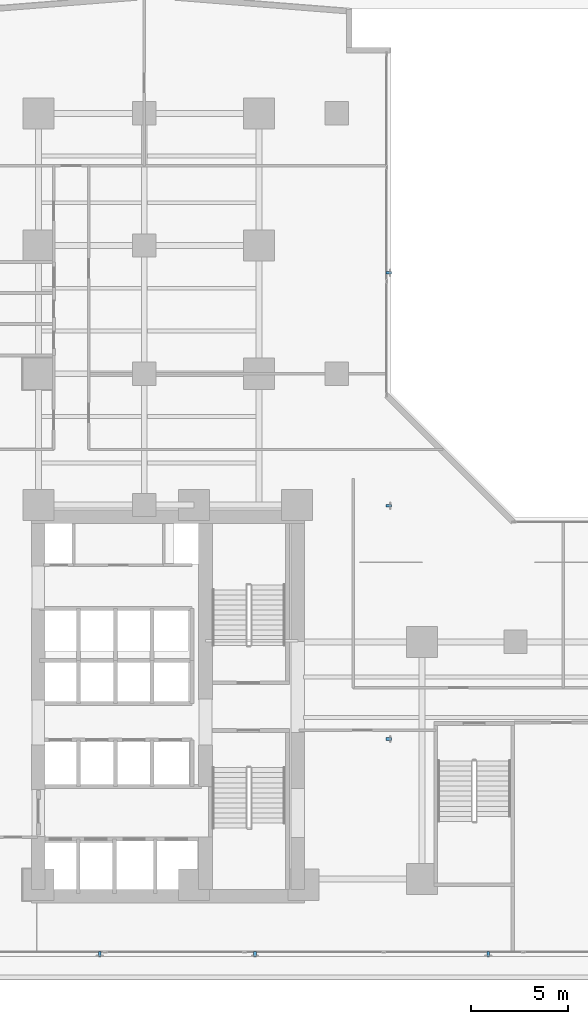
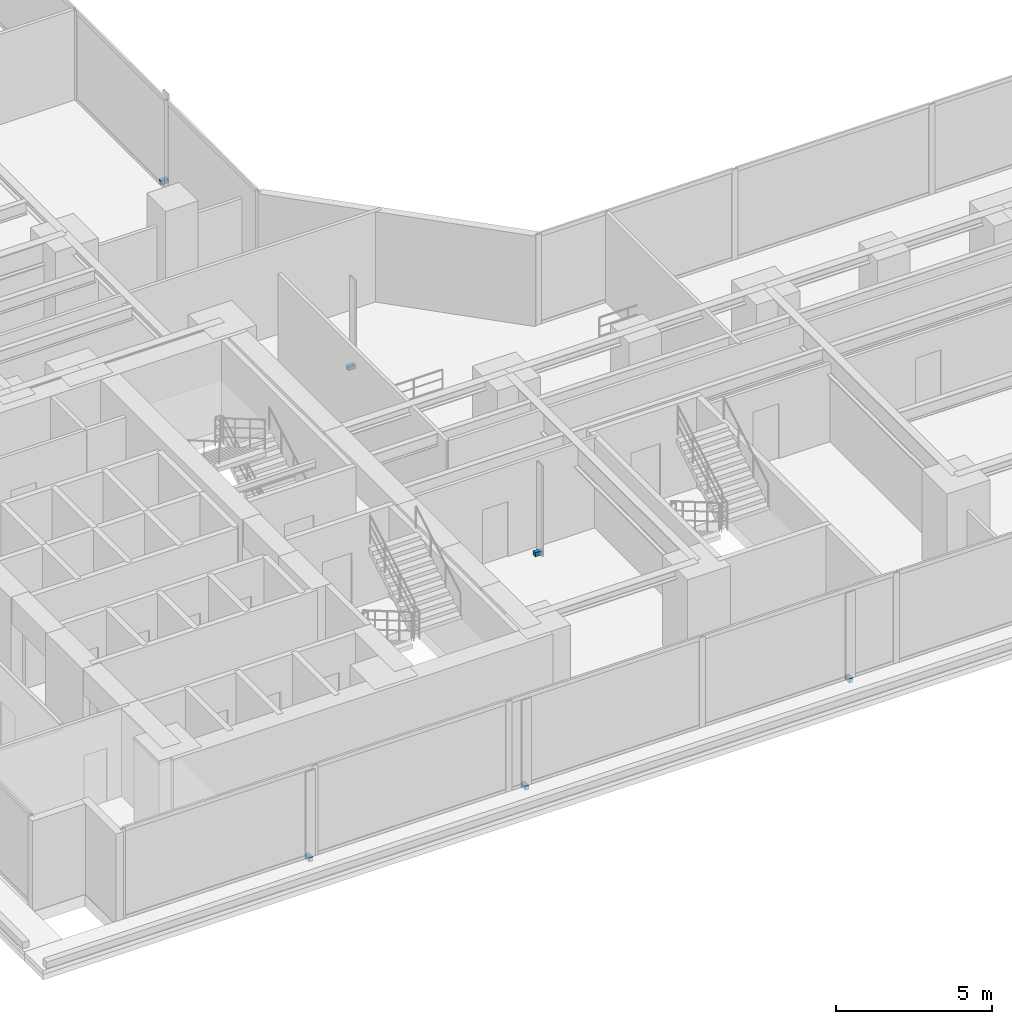
# One storey, part 25 of 29: 6 discrete accessories.
"""IFC4 building model written with IfcOpenShell, lengths in metres."""

from ifc_helpers import new_model, si_unit, direction, frame, origin, origin_with_axes, origin_2d, place, context, subcontext, project, spatial, rectangle, extrude, source, transform, mapped, material, type_object, element, save


model = new_model("IFC4")

# Units and contexts
model_context = context("Model", 3, precision=1e-05, world=origin(), true_north=direction((0.0, 1.0)))
body_context = subcontext(model_context, "Body", "Model", "MODEL_VIEW")
ifc_project = project(units=[si_unit("LENGTHUNIT", "METRE"), si_unit("AREAUNIT", "SQUARE_METRE"), si_unit("VOLUMEUNIT", "CUBIC_METRE"), si_unit("PLANEANGLEUNIT", "RADIAN"), si_unit("MASSUNIT", "GRAM", prefix="KILO")], contexts=[model_context])

# Site, building, storey
site_placement = place(None, origin())
site = spatial("IfcSite", under=ifc_project, at=site_placement, CompositionType="ELEMENT")
building_placement = place(site_placement, origin())
building = spatial("IfcBuilding", under=site, at=building_placement, Name="Kolvaren Waterfront Exchange", CompositionType="ELEMENT")
storey_placement = place(building_placement, frame((0.0, 0.0, 29.60009765625)))
storey = spatial("IfcBuildingStorey", under=building, at=storey_placement, Name="L07", CompositionType="ELEMENT", Elevation=29.60009765625)

# Discrete accessories
ifc_material = material(Name="Stainless steel 316", Category="steel")
discrete_accessory_type = type_object("IfcDiscreteAccessoryType", Name="ARC-BRK-FIN", PredefinedType="BRACKET", material=ifc_material)
shared_shape = source(origin_with_axes(), body_context, "Body", "SweptSolid", [
    extrude(rectangle(XDim=0.280029296875, YDim=0.139892578125, at=origin_2d()), origin(), (0.0, 0.0, 1.0), 0.159912109375),
])
for number, where, z_axis, x_axis, name in (
    (1, (10.60009765625, 1.320068359375, 0.0), (0.0, 0.0, 1.0), (0.0, -1.0, 0.0), "L07 bronze fin anchor bracket FIN-L07-S1"),
    (2, (18.60009765625, 1.320068359375, 0.0), (0.0, 0.0, 1.0), (0.0, -1.0, 0.0), "L07 bronze fin anchor bracket FIN-L07-S2"),
    (3, (30.60009765625, 1.320068359375, 0.0), (0.0, 0.0, 1.0), (0.0, -1.0, 0.0), "L07 bronze fin anchor bracket FIN-L07-S3"),
    (4, (25.47998046875, 12.39990234375, 0.0), (0.0, 0.0, 1.0), (1.0, 0.0, 0.0), "L07 bronze fin anchor bracket FIN-L07-E1"),
    (5, (25.47998046875, 24.39990234375, 0.0), (0.0, 0.0, 1.0), (1.0, 0.0, 0.0), "L07 bronze fin anchor bracket FIN-L07-E2"),
    (6, (25.47998046875, 36.39990234375, 0.0), (0.0, 0.0, 1.0), (1.0, 0.0, 0.0), "L07 bronze fin anchor bracket FIN-L07-E3"),
):
    element("IfcDiscreteAccessory", number, at=place(storey_placement, frame(where, z_axis=z_axis, x_axis=x_axis)), inside=storey, type_object=discrete_accessory_type, Name=name, PredefinedType="BRACKET", context=body_context, shape_type="MappedRepresentation", body=[
        mapped(shared_shape, transform((0.0, 0.0, 0.0), x_axis=(1.0, 0.0, 0.0), y_axis=(0.0, 1.0, 0.0), z_axis=(0.0, 0.0, 1.0), scale=1.0)),
    ])

save(model, "model.ifc")
